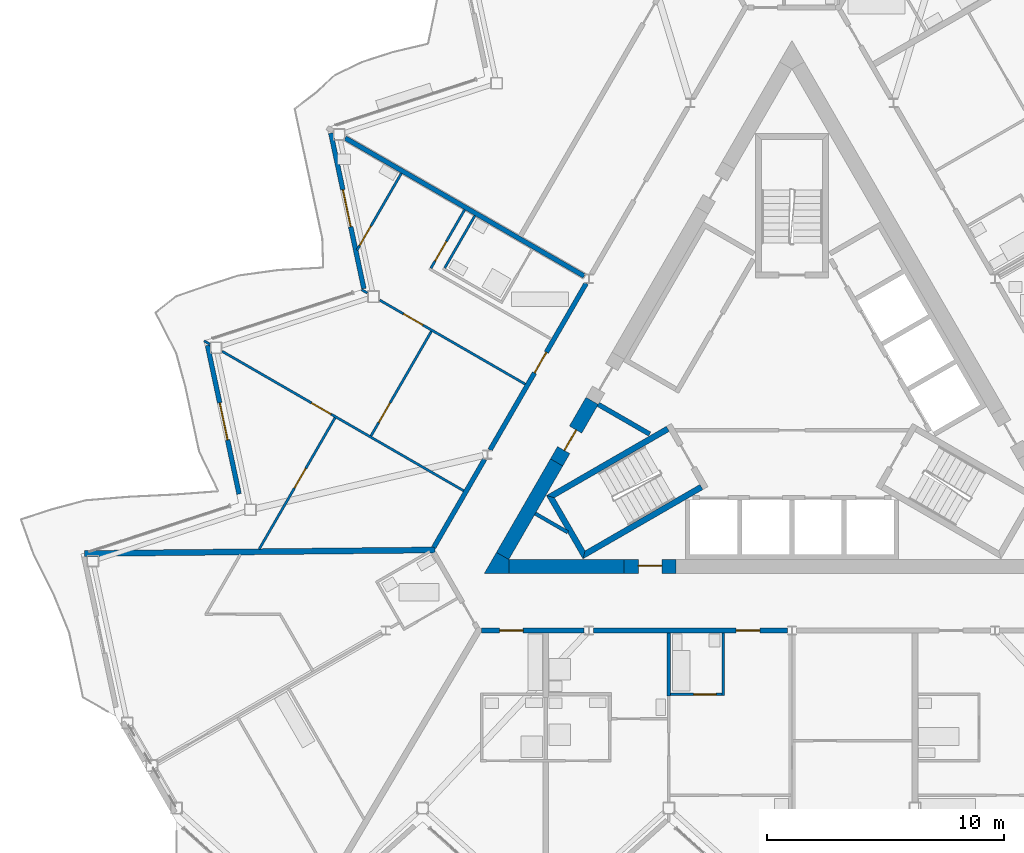
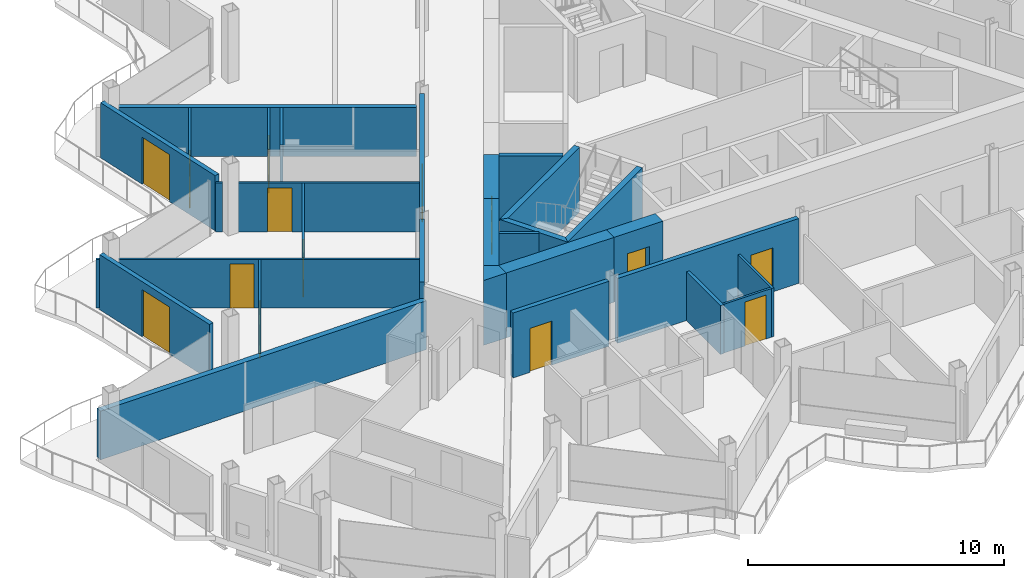
# One storey, part 13 of 26: 30 walls, 14 doors, 14 openings.
"""IFC4 building model written with IfcOpenShell, lengths in metres."""

from ifc_helpers import new_model, si_unit, direction, frame, frame_2d, origin, place, context, subcontext, project, spatial, polyline, rectangle, outline, extrude, material, layer, layer_set, type_object, element, fill, save


model = new_model("IFC4")

# Units and contexts
model_context = context("Model", 3, precision=1e-05, world=origin(), true_north=direction((0.0, 1.0)))
body_context = subcontext(model_context, "Body", "Model", "MODEL_VIEW")
ifc_project = project(units=[si_unit("LENGTHUNIT", "METRE"), si_unit("AREAUNIT", "SQUARE_METRE"), si_unit("VOLUMEUNIT", "CUBIC_METRE"), si_unit("PLANEANGLEUNIT", "RADIAN"), si_unit("MASSUNIT", "GRAM", prefix="KILO")], contexts=[model_context])

# Site, building, storey
site_placement = place(None, origin())
site = spatial("IfcSite", under=ifc_project, at=site_placement, CompositionType="ELEMENT")
building_placement = place(site_placement, origin())
building = spatial("IfcBuilding", under=site, at=building_placement, Name="Cormorant Prow Tower", CompositionType="ELEMENT")
storey_placement = place(building_placement, frame((0.0, 0.0, 378.0)))
storey = spatial("IfcBuildingStorey", under=building, at=storey_placement, Name="L85", CompositionType="ELEMENT", Elevation=378.0)

# Walls
ifc_material_1 = material(Name="Gypsum board partition")
ifc_layer_1 = layer(ifc_material_1, 0.14990234375)
ifc_layer_set_1 = layer_set([ifc_layer_1], Name="Gypsum board partition")
wall_type_1 = type_object("IfcWallType", Name="Core partition 150", PredefinedType="PARTITIONING", material=ifc_layer_set_1)
wall_1_placement = place(storey_placement, frame((-10.841796875, -4.96728515625, 0.0), z_axis=(0.0, 0.0, 1.0), x_axis=(0.866098216386, -0.499873863663, 0.0)))
element("IfcWall", 1, at=wall_1_placement, inside=storey, type_object=wall_type_1, Name="Service room partition", PredefinedType="PARTITIONING", context=body_context, shape_type="SweptSolid", body=[
    extrude(rectangle(XDim=1.58203125, YDim=0.14990234375, at=frame_2d((0.791015625, 0.0))), origin(), (0.0, 0.0, 1.0), 3.10009765625),
])
ifc_material_2 = material(Name="Concrete 8000 psi", Category="concrete")
ifc_layer_2 = layer(ifc_material_2, 0.60009765625)
ifc_layer_set_2 = layer_set([ifc_layer_2], Name="Concrete 8000 psi")
wall_type_2 = type_object("IfcWallType", Name="Core shear wall 600", PredefinedType="SHEAR", material=ifc_layer_set_2)
wall_2_placement = place(storey_placement, frame((-11.960693359375, -7.20556640625, 0.0), z_axis=(0.0, 0.0, 1.0), x_axis=(1.0, 0.0, 0.0)))
element("IfcWall", 2, at=wall_2_placement, inside=storey, type_object=wall_type_2, Name="Core wall", PredefinedType="SHEAR", context=body_context, shape_type="SweptSolid", body=[
    extrude(rectangle(XDim=4.868408203125, YDim=0.60009765625, at=frame_2d((2.43408203125, 0.0))), origin(), (0.0, 0.0, 1.0), 3.10009765625),
])
wall_3_placement = place(storey_placement, frame((-9.94091796875, -2.80712890625, 0.0), z_axis=(0.0, 0.0, 1.0), x_axis=(-0.500020646047, -0.866013483456, 0.0)))
element("IfcWall", 3, at=wall_3_placement, inside=storey, type_object=wall_type_2, Name="Core wall", PredefinedType="SHEAR", context=body_context, shape_type="SweptSolid", body=[
    extrude(rectangle(XDim=4.559326171875, YDim=0.60009765625, at=frame_2d((2.27978515625, 0.0))), origin(), (0.0, 0.0, 1.0), 3.10009765625),
])
wall_4_placement = place(storey_placement, origin())
element("IfcWall", 4, at=wall_4_placement, inside=storey, type_object=wall_type_2, Name="Core wall corner", PredefinedType="SHEAR", context=body_context, shape_type="SweptSolid", body=[
    extrude(outline(polyline([(-12.48046875, -6.605712890625), (-11.960693359375, -6.905517578125), (-11.960693359375, -7.505615234375), (-13.0, -7.505615234375), (-12.48046875, -6.605712890625)])), origin(), (0.0, 0.0, 1.0), 3.10009765625),
])

# Wall, opening, door
wall_5_placement = place(storey_placement, frame((-7.09228515625, -7.20556640625, 0.0), z_axis=(0.0, 0.0, 1.0), x_axis=(1.0, 0.0, 0.0)))
wall_5 = element("IfcWall", 5, at=wall_5_placement, inside=storey, type_object=wall_type_2, Name="Core wall door panel", PredefinedType="SHEAR", context=body_context, shape_type="SweptSolid", body=[
    extrude(rectangle(XDim=2.2001953125, YDim=0.60009765625, at=frame_2d((1.10009765625, 0.0))), origin(), (0.0, 0.0, 1.0), 3.10009765625),
])
opening_1_placement = place(wall_5_placement, frame((0.60009765625, 0.0, 0.0)))
opening_1 = element("IfcOpeningElement", 6, at=opening_1_placement, cuts=wall_5, Name="Opening L85-C14", PredefinedType="OPENING", context=body_context, shape_type="SweptSolid", body=[
    extrude(rectangle(XDim=1.0, YDim=2.10009765625, at=frame_2d((0.5, 1.050048828125))), frame((0.0, 0.31005859375, 0.0), z_axis=(0.0, -1.0, 0.0), x_axis=(1.0, 0.0, 0.0)), (0.0, 0.0, 1.0), 0.6201171875),
])
ifc_material_3 = material(Name="Painted steel", Category="steel")
door_type_1 = type_object("IfcDoorType", Name="Service door 1000x2100", OperationType="NOTDEFINED", PredefinedType="DOOR", material=ifc_material_3)
door_1_placement = place(opening_1_placement, origin())
door_1 = element("IfcDoor", 7, at=door_1_placement, inside=storey, type_object=door_type_1, Name="Core door, Housekeeping store", OperationType="SINGLE_SWING_LEFT", OverallHeight=2.10009765625, OverallWidth=1.0, PredefinedType="DOOR", context=body_context, shape_type="SweptSolid", body=[
    extrude(rectangle(XDim=1.0, YDim=2.10009765625, at=frame_2d((0.5, 1.050048828125))), frame((0.0, 0.05517578125, 0.0), z_axis=(0.0, -1.0, 0.0), x_axis=(1.0, 0.0, 0.0)), (0.0, 0.0, 1.0), 0.050048828125),
])
fill(opening_1, door_1)

wall_6_placement = place(storey_placement, frame((-8.440185546875, -0.207763671875, 0.0), z_axis=(0.0, 0.0, 1.0), x_axis=(-0.499997052475, -0.866027105532, 0.0)))
wall_6 = element("IfcWall", 8, at=wall_6_placement, inside=storey, type_object=wall_type_2, Name="Core wall door panel", PredefinedType="SHEAR", context=body_context, shape_type="SweptSolid", body=[
    extrude(rectangle(XDim=3.00146484375, YDim=0.60009765625, at=frame_2d((1.500732421875, 0.0))), origin(), (0.0, 0.0, 1.0), 3.10009765625),
])
opening_2_placement = place(wall_6_placement, frame((1.39990234375, 0.0, 0.0)))
opening_2 = element("IfcOpeningElement", 9, at=opening_2_placement, cuts=wall_6, Name="Opening L85-C16", PredefinedType="OPENING", context=body_context, shape_type="SweptSolid", body=[
    extrude(rectangle(XDim=1.0, YDim=2.10009765625, at=frame_2d((0.5, 1.050048828125))), frame((0.0, 0.31005859375, 0.0), z_axis=(0.0, -1.0, 0.0), x_axis=(1.0, 0.0, 0.0)), (0.0, 0.0, 1.0), 0.6201171875),
])
door_2_placement = place(opening_2_placement, origin())
door_2 = element("IfcDoor", 10, at=door_2_placement, inside=storey, type_object=door_type_1, Name="Core door, Linen store", OperationType="SINGLE_SWING_RIGHT", OverallHeight=2.10009765625, OverallWidth=1.0, PredefinedType="DOOR", context=body_context, shape_type="SweptSolid", body=[
    extrude(rectangle(XDim=1.0, YDim=2.10009765625, at=frame_2d((0.5, 1.050048828125))), frame((0.0, 0.05517578125, 0.0), z_axis=(0.0, -1.0, 0.0), x_axis=(1.0, 0.0, 0.0)), (0.0, 0.0, 1.0), 0.050048828125),
])
fill(opening_2, door_2)

ifc_material_4 = material(Name="Gypsum board corridor wall")
ifc_layer_3 = layer(ifc_material_4, 0.199951171875)
ifc_layer_set_3 = layer_set([ifc_layer_3], Name="Gypsum board corridor wall")
wall_type_3 = type_object("IfcWallType", Name="Corridor wall 200", PredefinedType="PARTITIONING", material=ifc_layer_set_3)
wall_7_placement = place(storey_placement, frame((-8.381591796875, -9.905517578125, 0.0), z_axis=(0.0, 0.0, 1.0), x_axis=(1.0, 0.0, 0.0)))
wall_7 = element("IfcWall", 11, at=wall_7_placement, inside=storey, type_object=wall_type_3, Name="Corridor wall", PredefinedType="PARTITIONING", context=body_context, shape_type="SweptSolid", body=[
    extrude(rectangle(XDim=8.1845703125, YDim=0.199951171875, at=frame_2d((4.09228515625, 0.0))), origin(), (0.0, 0.0, 1.0), 3.10009765625),
])
opening_3_placement = place(wall_7_placement, frame((6.02294921875, 0.0, 0.0)))
opening_3 = element("IfcOpeningElement", 12, at=opening_3_placement, cuts=wall_7, Name="Opening L85-F03", PredefinedType="OPENING", context=body_context, shape_type="SweptSolid", body=[
    extrude(rectangle(XDim=1.0, YDim=2.10009765625, at=frame_2d((0.5, 1.050048828125))), frame((0.0, 0.10986328125, 0.0), z_axis=(0.0, -1.0, 0.0), x_axis=(1.0, 0.0, 0.0)), (0.0, 0.0, 1.0), 0.219970703125),
])
ifc_material_5 = material(Name="Timber door leaf", Category="wood")
door_type_2 = type_object("IfcDoorType", Name="Flat or room entrance door 1000x2100", OperationType="NOTDEFINED", PredefinedType="DOOR", material=ifc_material_5)
door_3_placement = place(opening_3_placement, origin())
door_3 = element("IfcDoor", 13, at=door_3_placement, inside=storey, type_object=door_type_2, Name="Living room door", OperationType="SINGLE_SWING_LEFT", OverallHeight=2.10009765625, OverallWidth=1.0, PredefinedType="DOOR", context=body_context, shape_type="SweptSolid", body=[
    extrude(rectangle(XDim=1.0, YDim=2.10009765625, at=frame_2d((0.5, 1.050048828125))), frame((0.0, 0.02490234375, 0.0), z_axis=(0.0, -1.0, 0.0), x_axis=(1.0, 0.0, 0.0)), (0.0, 0.0, 1.0), 0.050048828125),
])
fill(opening_3, door_3)

wall_8_placement = place(storey_placement, frame((-12.75390625, -2.279296875, 0.0), z_axis=(0.0, 0.0, 1.0), x_axis=(0.500001682468, 0.866024432409, 0.0)))
wall_8 = element("IfcWall", 14, at=wall_8_placement, inside=storey, type_object=wall_type_3, Name="Corridor wall", PredefinedType="PARTITIONING", context=body_context, shape_type="SweptSolid", body=[
    extrude(rectangle(XDim=8.12353515625, YDim=0.199951171875, at=frame_2d((4.061767578125, 0.0))), origin(), (0.0, 0.0, 1.0), 3.10009765625),
])
opening_4_placement = place(wall_8_placement, frame((3.762451171875, 0.0, 0.0)))
opening_4 = element("IfcOpeningElement", 15, at=opening_4_placement, cuts=wall_8, Name="Opening L85-F45", PredefinedType="OPENING", context=body_context, shape_type="SweptSolid", body=[
    extrude(rectangle(XDim=1.0, YDim=2.10009765625, at=frame_2d((0.5, 1.050048828125))), frame((0.0, 0.10986328125, 0.0), z_axis=(0.0, -1.0, 0.0), x_axis=(1.0, 0.0, 0.0)), (0.0, 0.0, 1.0), 0.219970703125),
])
door_4_placement = place(opening_4_placement, origin())
door_4 = element("IfcDoor", 16, at=door_4_placement, inside=storey, type_object=door_type_2, Name="Living room door", OperationType="SINGLE_SWING_LEFT", OverallHeight=2.10009765625, OverallWidth=1.0, PredefinedType="DOOR", context=body_context, shape_type="SweptSolid", body=[
    extrude(rectangle(XDim=1.0, YDim=2.10009765625, at=frame_2d((0.5, 1.050048828125))), frame((0.0, 0.02490234375, 0.0), z_axis=(0.0, -1.0, 0.0), x_axis=(1.0, 0.0, 0.0)), (0.0, 0.0, 1.0), 0.050048828125),
])
fill(opening_4, door_4)

wall_9_placement = place(storey_placement, frame((-13.10595703125, -9.905517578125, 0.0), z_axis=(0.0, 0.0, 1.0), x_axis=(1.0, 0.0, 0.0)))
wall_9 = element("IfcWall", 17, at=wall_9_placement, inside=storey, type_object=wall_type_3, Name="Corridor wall", PredefinedType="PARTITIONING", context=body_context, shape_type="SweptSolid", body=[
    extrude(rectangle(XDim=4.33056640625, YDim=0.199951171875, at=frame_2d((2.165283203125, 0.0))), origin(), (0.0, 0.0, 1.0), 3.10009765625),
])
opening_5_placement = place(wall_9_placement, frame((0.75537109375, 0.0, 0.0)))
opening_5 = element("IfcOpeningElement", 18, at=opening_5_placement, cuts=wall_9, Name="Opening L85-F01", PredefinedType="OPENING", context=body_context, shape_type="SweptSolid", body=[
    extrude(rectangle(XDim=1.0, YDim=2.10009765625, at=frame_2d((0.5, 1.050048828125))), frame((0.0, 0.10986328125, 0.0), z_axis=(0.0, -1.0, 0.0), x_axis=(1.0, 0.0, 0.0)), (0.0, 0.0, 1.0), 0.219970703125),
])
door_5_placement = place(opening_5_placement, origin())
door_5 = element("IfcDoor", 19, at=door_5_placement, inside=storey, type_object=door_type_2, Name="Studio living, kitchen and sleeping room door", OperationType="SINGLE_SWING_LEFT", OverallHeight=2.10009765625, OverallWidth=1.0, PredefinedType="DOOR", context=body_context, shape_type="SweptSolid", body=[
    extrude(rectangle(XDim=1.0, YDim=2.10009765625, at=frame_2d((0.5, 1.050048828125))), frame((0.0, 0.02490234375, 0.0), z_axis=(0.0, -1.0, 0.0), x_axis=(1.0, 0.0, 0.0)), (0.0, 0.0, 1.0), 0.050048828125),
])
fill(opening_5, door_5)

# Walls
wall_10_placement = place(storey_placement, frame((-15.13134765625, -6.397216796875, 0.0), z_axis=(0.0, 0.0, 1.0), x_axis=(0.499986217557, 0.866033360935, 0.0)))
element("IfcWall", 20, at=wall_10_placement, inside=storey, type_object=wall_type_3, Name="Corridor wall", PredefinedType="PARTITIONING", context=body_context, shape_type="SweptSolid", body=[
    extrude(rectangle(XDim=4.2998046875, YDim=0.199951171875, at=frame_2d((2.14990234375, 0.0))), origin(), (0.0, 0.0, 1.0), 3.10009765625),
])
ifc_material_6 = material(Name="Gypsum board demising wall")
ifc_layer_4 = layer(ifc_material_6, 0.199951171875)
ifc_layer_set_4 = layer_set([ifc_layer_4], Name="Gypsum board demising wall")
wall_type_4 = type_object("IfcWallType", Name="Demising wall 200", PredefinedType="PARTITIONING", material=ifc_layer_set_4)
wall_11_placement = place(storey_placement, frame((-18.86865234375, 10.893798828125, 0.0), z_axis=(0.0, 0.0, 1.0), x_axis=(0.866023724155, -0.500002909193, 0.0)))
element("IfcWall", 21, at=wall_11_placement, inside=storey, type_object=wall_type_4, Name="Demising wall", PredefinedType="PARTITIONING", context=body_context, shape_type="SweptSolid", body=[
    extrude(rectangle(XDim=11.65478515625, YDim=0.199951171875, at=frame_2d((5.827392578125, 0.0))), origin(), (0.0, 0.0, 1.0), 2.330078125),
])

# Wall, opening, door
ifc_material_7 = material(Name="Gypsum board partition")
ifc_layer_5 = layer(ifc_material_7, 0.10009765625)
ifc_layer_set_5 = layer_set([ifc_layer_5], Name="Gypsum board partition")
wall_type_5 = type_object("IfcWallType", Name="Internal partition 100", PredefinedType="PARTITIONING", material=ifc_layer_set_5)
wall_12_placement = place(storey_placement, frame((-24.068603515625, 1.88720703125, 0.0), z_axis=(0.0, 0.0, 1.0), x_axis=(0.866023404247, -0.500003463284, 0.0)))
wall_12 = element("IfcWall", 22, at=wall_12_placement, inside=storey, type_object=wall_type_5, Name="Internal partition", PredefinedType="PARTITIONING", context=body_context, shape_type="SweptSolid", body=[
    extrude(rectangle(XDim=11.7822265625, YDim=0.10009765625, at=frame_2d((5.89111328125, 0.0))), origin(), (0.0, 0.0, 1.0), 2.330078125),
])
opening_6_placement = place(wall_12_placement, frame((4.36279296875, 0.0, 0.0)))
opening_6 = element("IfcOpeningElement", 23, at=opening_6_placement, cuts=wall_12, Name="Opening L85-F50", PredefinedType="OPENING", context=body_context, shape_type="SweptSolid", body=[
    extrude(rectangle(XDim=0.949951171875, YDim=2.10009765625, at=frame_2d((0.47509765625, 1.050048828125))), frame((0.0, 0.06005859375, 0.0), z_axis=(0.0, -1.0, 0.0), x_axis=(1.0, 0.0, 0.0)), (0.0, 0.0, 1.0), 0.1201171875),
])
ifc_material_8 = material(Name="Timber door leaf", Category="wood")
door_type_3 = type_object("IfcDoorType", Name="Bathroom door 950x2100", OperationType="NOTDEFINED", PredefinedType="DOOR", material=ifc_material_8)
door_6_placement = place(opening_6_placement, origin())
door_6 = element("IfcDoor", 24, at=door_6_placement, inside=storey, type_object=door_type_3, Name="Bedroom door", OperationType="SINGLE_SWING_RIGHT", OverallHeight=2.10009765625, OverallWidth=0.949951171875, PredefinedType="DOOR", context=body_context, shape_type="SweptSolid", body=[
    extrude(rectangle(XDim=0.949951171875, YDim=2.10009765625, at=frame_2d((0.47509765625, 1.050048828125))), frame((0.0, 0.02490234375, 0.0), z_axis=(0.0, -1.0, 0.0), x_axis=(1.0, 0.0, 0.0)), (0.0, 0.0, 1.0), 0.050048828125),
])
fill(opening_6, door_6)

wall_13_placement = place(storey_placement, frame((-17.413818359375, 4.04931640625, 0.0), z_axis=(0.0, 0.0, 1.0), x_axis=(0.866033839264, -0.499985389037, 0.0)))
wall_13 = element("IfcWall", 25, at=wall_13_placement, inside=storey, type_object=wall_type_5, Name="Internal partition", PredefinedType="PARTITIONING", context=body_context, shape_type="SweptSolid", body=[
    extrude(rectangle(XDim=7.099853515625, YDim=0.10009765625, at=frame_2d((3.5498046875, 0.0))), origin(), (0.0, 0.0, 1.0), 2.330078125),
])
opening_7_placement = place(wall_13_placement, frame((1.157958984375, 0.0, 0.0)))
opening_7 = element("IfcOpeningElement", 26, at=opening_7_placement, cuts=wall_13, Name="Opening L85-F48", PredefinedType="OPENING", context=body_context, shape_type="SweptSolid", body=[
    extrude(rectangle(XDim=0.949951171875, YDim=2.10009765625, at=frame_2d((0.47509765625, 1.050048828125))), frame((0.0, 0.06005859375, 0.0), z_axis=(0.0, -1.0, 0.0), x_axis=(1.0, 0.0, 0.0)), (0.0, 0.0, 1.0), 0.1201171875),
])
door_7_placement = place(opening_7_placement, origin())
door_7 = element("IfcDoor", 27, at=door_7_placement, inside=storey, type_object=door_type_3, Name="Living room door", OperationType="SINGLE_SWING_RIGHT", OverallHeight=2.10009765625, OverallWidth=0.949951171875, PredefinedType="DOOR", context=body_context, shape_type="SweptSolid", body=[
    extrude(rectangle(XDim=0.949951171875, YDim=2.10009765625, at=frame_2d((0.47509765625, 1.050048828125))), frame((0.0, 0.02490234375, 0.0), z_axis=(0.0, -1.0, 0.0), x_axis=(1.0, 0.0, 0.0)), (0.0, 0.0, 1.0), 0.050048828125),
])
fill(opening_7, door_7)

wall_14_placement = place(storey_placement, frame((-22.505126953125, -6.4716796875, 0.0), z_axis=(0.0, 0.0, 1.0), x_axis=(0.499999516514, 0.866025682925, 0.0)))
wall_14 = element("IfcWall", 28, at=wall_14_placement, inside=storey, type_object=wall_type_5, Name="Internal partition", PredefinedType="PARTITIONING", context=body_context, shape_type="SweptSolid", body=[
    extrude(rectangle(XDim=6.4072265625, YDim=0.10009765625, at=frame_2d((3.20361328125, 0.0))), origin(), (0.0, 0.0, 1.0), 2.330078125),
])
opening_8_placement = place(wall_14_placement, frame((2.9814453125, 0.0, 0.0)))
opening_8 = element("IfcOpeningElement", 29, at=opening_8_placement, cuts=wall_14, Name="Opening L85-F51", PredefinedType="OPENING", context=body_context, shape_type="SweptSolid", body=[
    extrude(rectangle(XDim=0.949951171875, YDim=2.10009765625, at=frame_2d((0.47509765625, 1.050048828125))), frame((0.0, 0.06005859375, 0.0), z_axis=(0.0, -1.0, 0.0), x_axis=(1.0, 0.0, 0.0)), (0.0, 0.0, 1.0), 0.1201171875),
])
door_8_placement = place(opening_8_placement, origin())
door_8 = element("IfcDoor", 30, at=door_8_placement, inside=storey, type_object=door_type_3, Name="Bedroom door", OperationType="SINGLE_SWING_LEFT", OverallHeight=2.10009765625, OverallWidth=0.949951171875, PredefinedType="DOOR", context=body_context, shape_type="SweptSolid", body=[
    extrude(rectangle(XDim=0.949951171875, YDim=2.10009765625, at=frame_2d((0.47509765625, 1.050048828125))), frame((0.0, 0.02490234375, 0.0), z_axis=(0.0, -1.0, 0.0), x_axis=(1.0, 0.0, 0.0)), (0.0, 0.0, 1.0), 0.050048828125),
])
fill(opening_8, door_8)

wall_15_placement = place(storey_placement, frame((-17.7802734375, -1.685791015625, 0.0), z_axis=(0.0, 0.0, 1.0), x_axis=(0.500005610874, 0.86602216432, 0.0)))
wall_15 = element("IfcWall", 31, at=wall_15_placement, inside=storey, type_object=wall_type_5, Name="Internal partition", PredefinedType="PARTITIONING", context=body_context, shape_type="SweptSolid", body=[
    extrude(rectangle(XDim=5.10009765625, YDim=0.10009765625, at=frame_2d((2.550048828125, 0.0))), origin(), (0.0, 0.0, 1.0), 2.330078125),
])
opening_9_placement = place(wall_15_placement, frame((0.655517578125, 0.0, 0.0)))
opening_9 = element("IfcOpeningElement", 32, at=opening_9_placement, cuts=wall_15, Name="Opening L85-F49", PredefinedType="OPENING", context=body_context, shape_type="SweptSolid", body=[
    extrude(rectangle(XDim=0.949951171875, YDim=2.10009765625, at=frame_2d((0.47509765625, 1.050048828125))), frame((0.0, 0.06005859375, 0.0), z_axis=(0.0, -1.0, 0.0), x_axis=(1.0, 0.0, 0.0)), (0.0, 0.0, 1.0), 0.1201171875),
])
door_9_placement = place(opening_9_placement, origin())
door_9 = element("IfcDoor", 33, at=door_9_placement, inside=storey, type_object=door_type_3, Name="Bedroom door", OperationType="SINGLE_SWING_LEFT", OverallHeight=2.10009765625, OverallWidth=0.949951171875, PredefinedType="DOOR", context=body_context, shape_type="SweptSolid", body=[
    extrude(rectangle(XDim=0.949951171875, YDim=2.10009765625, at=frame_2d((0.47509765625, 1.050048828125))), frame((0.0, 0.02490234375, 0.0), z_axis=(0.0, -1.0, 0.0), x_axis=(1.0, 0.0, 0.0)), (0.0, 0.0, 1.0), 0.050048828125),
])
fill(opening_9, door_9)

wall_16_placement = place(storey_placement, frame((-18.3720703125, 6.15966796875, 0.0), z_axis=(0.0, 0.0, 1.0), x_axis=(0.499981580887, 0.866036037803, 0.0)))
wall_16 = element("IfcWall", 34, at=wall_16_placement, inside=storey, type_object=wall_type_5, Name="Internal partition", PredefinedType="PARTITIONING", context=body_context, shape_type="SweptSolid", body=[
    extrude(rectangle(XDim=3.751708984375, YDim=0.10009765625, at=frame_2d((1.8759765625, 0.0))), origin(), (0.0, 0.0, 1.0), 2.330078125),
])
opening_10_placement = place(wall_16_placement, frame((0.222412109375, 0.0, 0.0)))
opening_10 = element("IfcOpeningElement", 35, at=opening_10_placement, cuts=wall_16, Name="Opening L85-F46", PredefinedType="OPENING", context=body_context, shape_type="SweptSolid", body=[
    extrude(rectangle(XDim=0.949951171875, YDim=2.10009765625, at=frame_2d((0.47509765625, 1.050048828125))), frame((0.0, 0.06005859375, 0.0), z_axis=(0.0, -1.0, 0.0), x_axis=(1.0, 0.0, 0.0)), (0.0, 0.0, 1.0), 0.1201171875),
])
door_10_placement = place(opening_10_placement, origin())
door_10 = element("IfcDoor", 36, at=door_10_placement, inside=storey, type_object=door_type_3, Name="Living room door", OperationType="SINGLE_SWING_LEFT", OverallHeight=2.10009765625, OverallWidth=0.949951171875, PredefinedType="DOOR", context=body_context, shape_type="SweptSolid", body=[
    extrude(rectangle(XDim=0.949951171875, YDim=2.10009765625, at=frame_2d((0.47509765625, 1.050048828125))), frame((0.0, 0.02490234375, 0.0), z_axis=(0.0, -1.0, 0.0), x_axis=(1.0, 0.0, 0.0)), (0.0, 0.0, 1.0), 0.050048828125),
])
fill(opening_10, door_10)

wall_17_placement = place(storey_placement, frame((-15.24951171875, 5.39794921875, 0.0), z_axis=(0.0, 0.0, 1.0), x_axis=(0.499935029643, 0.866062911188, 0.0)))
wall_17 = element("IfcWall", 37, at=wall_17_placement, inside=storey, type_object=wall_type_5, Name="Internal partition", PredefinedType="PARTITIONING", context=body_context, shape_type="SweptSolid", body=[
    extrude(rectangle(XDim=2.85009765625, YDim=0.10009765625, at=frame_2d((1.425048828125, 0.0))), origin(), (0.0, 0.0, 1.0), 2.330078125),
])
opening_11_placement = place(wall_17_placement, frame((0.35009765625, 0.0, 0.0)))
opening_11 = element("IfcOpeningElement", 38, at=opening_11_placement, cuts=wall_17, Name="Opening L85-F47", PredefinedType="OPENING", context=body_context, shape_type="SweptSolid", body=[
    extrude(rectangle(XDim=0.949951171875, YDim=2.10009765625, at=frame_2d((0.47509765625, 1.050048828125))), frame((0.0, 0.06005859375, 0.0), z_axis=(0.0, -1.0, 0.0), x_axis=(1.0, 0.0, 0.0)), (0.0, 0.0, 1.0), 0.1201171875),
])
door_11_placement = place(opening_11_placement, origin())
door_11 = element("IfcDoor", 39, at=door_11_placement, inside=storey, type_object=door_type_3, Name="Living room door", OperationType="SINGLE_SWING_LEFT", OverallHeight=2.10009765625, OverallWidth=0.949951171875, PredefinedType="DOOR", context=body_context, shape_type="SweptSolid", body=[
    extrude(rectangle(XDim=0.949951171875, YDim=2.10009765625, at=frame_2d((0.47509765625, 1.050048828125))), frame((0.0, 0.02490234375, 0.0), z_axis=(0.0, -1.0, 0.0), x_axis=(1.0, 0.0, 0.0)), (0.0, 0.0, 1.0), 0.050048828125),
])
fill(opening_11, door_11)

# Walls
wall_18_placement = place(storey_placement, frame((-2.89990234375, -12.655517578125, 0.0), z_axis=(0.0, 0.0, 1.0), x_axis=(0.0, 1.0, 0.0)))
element("IfcWall", 40, at=wall_18_placement, inside=storey, type_object=wall_type_5, Name="Internal partition", PredefinedType="PARTITIONING", context=body_context, shape_type="SweptSolid", body=[
    extrude(rectangle(XDim=2.64990234375, YDim=0.10009765625, at=frame_2d((1.324951171875, 0.0))), origin(), (0.0, 0.0, 1.0), 2.330078125),
])
wall_19_placement = place(storey_placement, frame((-14.66650390625, 5.40771484375, 0.0), z_axis=(0.0, 0.0, 1.0), x_axis=(0.499948979701, 0.866054858364, 0.0)))
element("IfcWall", 41, at=wall_19_placement, inside=storey, type_object=wall_type_5, Name="Internal partition", PredefinedType="PARTITIONING", context=body_context, shape_type="SweptSolid", body=[
    extrude(rectangle(XDim=2.550048828125, YDim=0.10009765625, at=frame_2d((1.27490234375, 0.0))), origin(), (0.0, 0.0, 1.0), 2.330078125),
])

# Wall, opening, door
wall_20_placement = place(storey_placement, frame((-5.125, -12.605712890625, 0.0), z_axis=(0.0, 0.0, 1.0), x_axis=(1.0, 0.0, 0.0)))
wall_20 = element("IfcWall", 42, at=wall_20_placement, inside=storey, type_object=wall_type_5, Name="Internal partition", PredefinedType="PARTITIONING", context=body_context, shape_type="SweptSolid", body=[
    extrude(rectangle(XDim=2.175048828125, YDim=0.10009765625, at=frame_2d((1.08740234375, 0.0))), origin(), (0.0, 0.0, 1.0), 2.330078125),
])
opening_12_placement = place(wall_20_placement, frame((0.97509765625, 0.0, 0.0)))
opening_12 = element("IfcOpeningElement", 43, at=opening_12_placement, cuts=wall_20, Name="Opening L85-F04", PredefinedType="OPENING", context=body_context, shape_type="SweptSolid", body=[
    extrude(rectangle(XDim=0.949951171875, YDim=2.10009765625, at=frame_2d((0.47509765625, 1.050048828125))), frame((0.0, 0.06005859375, 0.0), z_axis=(0.0, -1.0, 0.0), x_axis=(1.0, 0.0, 0.0)), (0.0, 0.0, 1.0), 0.1201171875),
])
door_12_placement = place(opening_12_placement, origin())
door_12 = element("IfcDoor", 44, at=door_12_placement, inside=storey, type_object=door_type_3, Name="Living room door", OperationType="SINGLE_SWING_RIGHT", OverallHeight=2.10009765625, OverallWidth=0.949951171875, PredefinedType="DOOR", context=body_context, shape_type="SweptSolid", body=[
    extrude(rectangle(XDim=0.949951171875, YDim=2.10009765625, at=frame_2d((0.47509765625, 1.050048828125))), frame((0.0, 0.02490234375, 0.0), z_axis=(0.0, -1.0, 0.0), x_axis=(1.0, 0.0, 0.0)), (0.0, 0.0, 1.0), 0.050048828125),
])
fill(opening_12, door_12)

# Walls
for number, where, z_axis, x_axis, name in (
    (45, (-18.17431640625, 4.48828125, 0.0), (0.0, 0.0, 1.0), (0.866288059981, -0.499544789918, 0.0), "Internal partition"),
    (46, (-24.8291015625, 2.326171875, 0.0), (0.0, 0.0, 1.0), (0.866288059981, -0.499544789918, 0.0), "Internal partition"),
):
    element("IfcWall", number, at=place(storey_placement, frame(where, z_axis=z_axis, x_axis=x_axis)), inside=storey, type_object=wall_type_5, Name=name, PredefinedType="PARTITIONING", context=body_context, shape_type="SweptSolid", body=[
        extrude(rectangle(XDim=0.277587890625, YDim=0.10009765625, at=frame_2d((0.138671875, 0.0))), origin(), (0.0, 0.0, 1.0), 2.330078125),
    ])
ifc_material_9 = material(Name="Concrete 8000 psi", Category="concrete")
ifc_layer_6 = layer(ifc_material_9, 0.199951171875)
ifc_layer_set_6 = layer_set([ifc_layer_6], Name="Concrete 8000 psi")
wall_type_6 = type_object("IfcWallType", Name="Lift shaft wall 200", PredefinedType="SHEAR", material=ifc_layer_set_6)
wall_21_placement = place(storey_placement, origin())
element("IfcWall", 47, at=wall_21_placement, inside=storey, type_object=wall_type_6, Name="Lift shaft walls, WNW block", PredefinedType="SHEAR", context=body_context, shape_type="SweptSolid", body=[
    extrude(outline(polyline([(-6.060546875, -1.697021484375), (-8.230712890625, -0.444091796875), (-8.130859375, -0.27099609375), (-5.96044921875, -1.52392578125), (-6.060546875, -1.697021484375)])), origin(), (0.0, 0.0, 1.0), 3.10009765625),
])
ifc_material_10 = material(Name="Concrete 8000 psi", Category="concrete")
ifc_layer_7 = layer(ifc_material_10, 0.25)
ifc_layer_set_7 = layer_set([ifc_layer_7], Name="Concrete 8000 psi")
wall_type_7 = type_object("IfcWallType", Name="Stair wall 250", PredefinedType="SHEAR", material=ifc_layer_set_7)
wall_22_placement = place(storey_placement, origin())
element("IfcWall", 48, at=wall_22_placement, inside=storey, type_object=wall_type_7, Name="Stair ST1 enclosure wall (flank)", PredefinedType="SHEAR", context=body_context, shape_type="SweptSolid", body=[
    extrude(outline(polyline([(-5.30712890625, -1.28125), (-10.37353515625, -4.206298828125), (-10.031982421875, -4.2978515625), (-5.18212890625, -1.497802734375), (-5.30712890625, -1.28125)])), origin(), (0.0, 0.0, 1.0), 3.10009765625),
])
wall_23_placement = place(storey_placement, origin())
element("IfcWall", 49, at=wall_23_placement, inside=storey, type_object=wall_type_7, Name="Stair ST1 enclosure wall (end)", PredefinedType="SHEAR", context=body_context, shape_type="SweptSolid", body=[
    extrude(outline(polyline([(-10.37353515625, -4.206298828125), (-8.82958984375, -6.880615234375), (-8.738037109375, -6.5390625), (-10.031982421875, -4.2978515625), (-10.37353515625, -4.206298828125)])), origin(), (0.0, 0.0, 1.0), 3.10009765625),
])
wall_24_placement = place(storey_placement, origin())
element("IfcWall", 50, at=wall_24_placement, inside=storey, type_object=wall_type_7, Name="Stair ST1 enclosure wall (flank)", PredefinedType="SHEAR", context=body_context, shape_type="SweptSolid", body=[
    extrude(outline(polyline([(-8.738037109375, -6.5390625), (-8.82958984375, -6.880615234375), (-3.76318359375, -3.95556640625), (-3.88818359375, -3.739013671875), (-8.738037109375, -6.5390625)])), origin(), (0.0, 0.0, 1.0), 3.10009765625),
])
ifc_material_11 = material(Name="Acoustic gypsum party wall")
ifc_layer_8 = layer(ifc_material_11, 0.25)
ifc_layer_set_8 = layer_set([ifc_layer_8], Name="Acoustic gypsum party wall")
wall_type_8 = type_object("IfcWallType", Name="Suite party wall 250", PredefinedType="PARTITIONING", material=ifc_layer_set_8)
wall_25_placement = place(storey_placement, frame((-29.88330078125, -6.653564453125, 0.0), z_axis=(0.0, 0.0, 1.0), x_axis=(0.999949143254, 0.010085182526, 0.0)))
element("IfcWall", 51, at=wall_25_placement, inside=storey, type_object=wall_type_8, Name="Suite party wall", PredefinedType="PARTITIONING", context=body_context, shape_type="SweptSolid", body=[
    extrude(rectangle(XDim=14.815185546875, YDim=0.25, at=frame_2d((7.40771484375, 0.0))), origin(), (0.0, 0.0, 1.0), 2.330078125),
])

# Wall, opening, door
ifc_material_12 = material(Name="Terracotta", Category="masonry")
ifc_layer_9 = layer(ifc_material_12, 0.199951171875)
ifc_layer_set_9 = layer_set([ifc_layer_9], Name="Terracotta")
wall_type_9 = type_object("IfcWallType", Name="Terracotta jamb wall 200", PredefinedType="SOLIDWALL", material=ifc_layer_set_9)
wall_26_placement = place(storey_placement, frame((-19.477294921875, 11.099853515625, 0.0), z_axis=(0.0, 0.0, 1.0), x_axis=(0.207910061304, -0.978147947096, 0.0)))
wall_26 = element("IfcWall", 52, at=wall_26_placement, inside=storey, type_object=wall_type_9, Name="Terracotta jamb wall WNW05", PredefinedType="SOLIDWALL", context=body_context, shape_type="SweptSolid", body=[
    extrude(rectangle(XDim=6.715576171875, YDim=0.199951171875, at=frame_2d((3.35791015625, 0.0))), origin(), (0.0, 0.0, 1.0), 2.6337890625),
])
opening_13_placement = place(wall_26_placement, frame((2.439208984375, 0.0, 0.0)))
opening_13 = element("IfcOpeningElement", 53, at=opening_13_placement, cuts=wall_26, Name="Opening ED85.13", PredefinedType="OPENING", context=body_context, shape_type="SweptSolid", body=[
    extrude(rectangle(XDim=1.60009765625, YDim=2.25, at=frame_2d((0.800048828125, 1.125))), frame((0.0, 0.10986328125, 0.0), z_axis=(0.0, -1.0, 0.0), x_axis=(1.0, 0.0, 0.0)), (0.0, 0.0, 1.0), 0.219970703125),
])
ifc_material_13 = material(Name="Aluminium 6063-T6", Category="aluminium")
door_type_4 = type_object("IfcDoorType", Name="Balcony door 1600x2250", OperationType="DOUBLE_DOOR_SINGLE_SWING", PredefinedType="DOOR", material=ifc_material_13)
door_13_placement = place(opening_13_placement, origin())
door_13 = element("IfcDoor", 54, at=door_13_placement, inside=storey, type_object=door_type_4, Name="Balcony door WNW05 ED85.13", OperationType="DOUBLE_DOOR_SINGLE_SWING", OverallHeight=2.25, OverallWidth=1.60009765625, PredefinedType="DOOR", context=body_context, shape_type="SweptSolid", body=[
    extrude(rectangle(XDim=1.60009765625, YDim=2.25, at=frame_2d((0.800048828125, 1.125))), frame((0.0, 0.02490234375, 0.0), z_axis=(0.0, -1.0, 0.0), x_axis=(1.0, 0.0, 0.0)), (0.0, 0.0, 1.0), 0.050048828125),
])
fill(opening_13, door_13)

wall_27_placement = place(storey_placement, frame((-24.6865234375, 2.13671875, 0.0), z_axis=(0.0, 0.0, 1.0), x_axis=(0.207904718109, -0.978149082803, 0.0)))
wall_27 = element("IfcWall", 55, at=wall_27_placement, inside=storey, type_object=wall_type_9, Name="Terracotta jamb wall WNW07", PredefinedType="SOLIDWALL", context=body_context, shape_type="SweptSolid", body=[
    extrude(rectangle(XDim=6.416259765625, YDim=0.199951171875, at=frame_2d((3.2080078125, 0.0))), origin(), (0.0, 0.0, 1.0), 2.6337890625),
])
opening_14_placement = place(wall_27_placement, frame((2.483642578125, 0.0, 0.0)))
opening_14 = element("IfcOpeningElement", 56, at=opening_14_placement, cuts=wall_27, Name="Opening ED85.14", PredefinedType="OPENING", context=body_context, shape_type="SweptSolid", body=[
    extrude(rectangle(XDim=1.60009765625, YDim=2.25, at=frame_2d((0.800048828125, 1.125))), frame((0.0, 0.10986328125, 0.0), z_axis=(0.0, -1.0, 0.0), x_axis=(1.0, 0.0, 0.0)), (0.0, 0.0, 1.0), 0.219970703125),
])
door_14_placement = place(opening_14_placement, origin())
door_14 = element("IfcDoor", 57, at=door_14_placement, inside=storey, type_object=door_type_4, Name="Balcony door WNW07 ED85.14", OperationType="DOUBLE_DOOR_SINGLE_SWING", OverallHeight=2.25, OverallWidth=1.60009765625, PredefinedType="DOOR", context=body_context, shape_type="SweptSolid", body=[
    extrude(rectangle(XDim=1.60009765625, YDim=2.25, at=frame_2d((0.800048828125, 1.125))), frame((0.0, 0.02490234375, 0.0), z_axis=(0.0, -1.0, 0.0), x_axis=(1.0, 0.0, 0.0)), (0.0, 0.0, 1.0), 0.050048828125),
])
fill(opening_14, door_14)

# Wall
ifc_material_14 = material(Name="Plasterboard wet wall with pipe chase")
ifc_layer_10 = layer(ifc_material_14, 0.14990234375)
ifc_layer_set_10 = layer_set([ifc_layer_10], Name="Plasterboard wet wall with pipe chase")
wall_type_10 = type_object("IfcWallType", Name="Wet wall 150", PredefinedType="PLUMBINGWALL", material=ifc_layer_set_10)
wall_28_placement = place(storey_placement, frame((-5.199951171875, -12.6806640625, 0.0), z_axis=(0.0, 0.0, 1.0), x_axis=(0.0, 1.0, 0.0)))
element("IfcWall", 58, at=wall_28_placement, inside=storey, type_object=wall_type_10, Name="Wet wall", PredefinedType="PLUMBINGWALL", context=body_context, shape_type="SweptSolid", body=[
    extrude(rectangle(XDim=2.675048828125, YDim=0.14990234375, at=frame_2d((1.33740234375, 0.0))), origin(), (0.0, 0.0, 1.0), 2.330078125),
])

save(model, "model.ifc")
